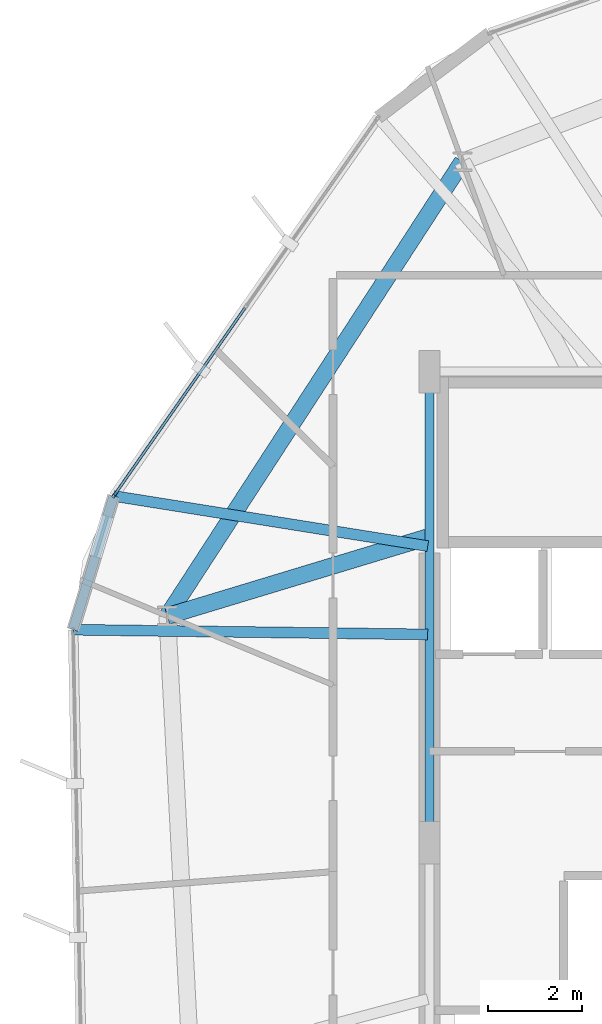
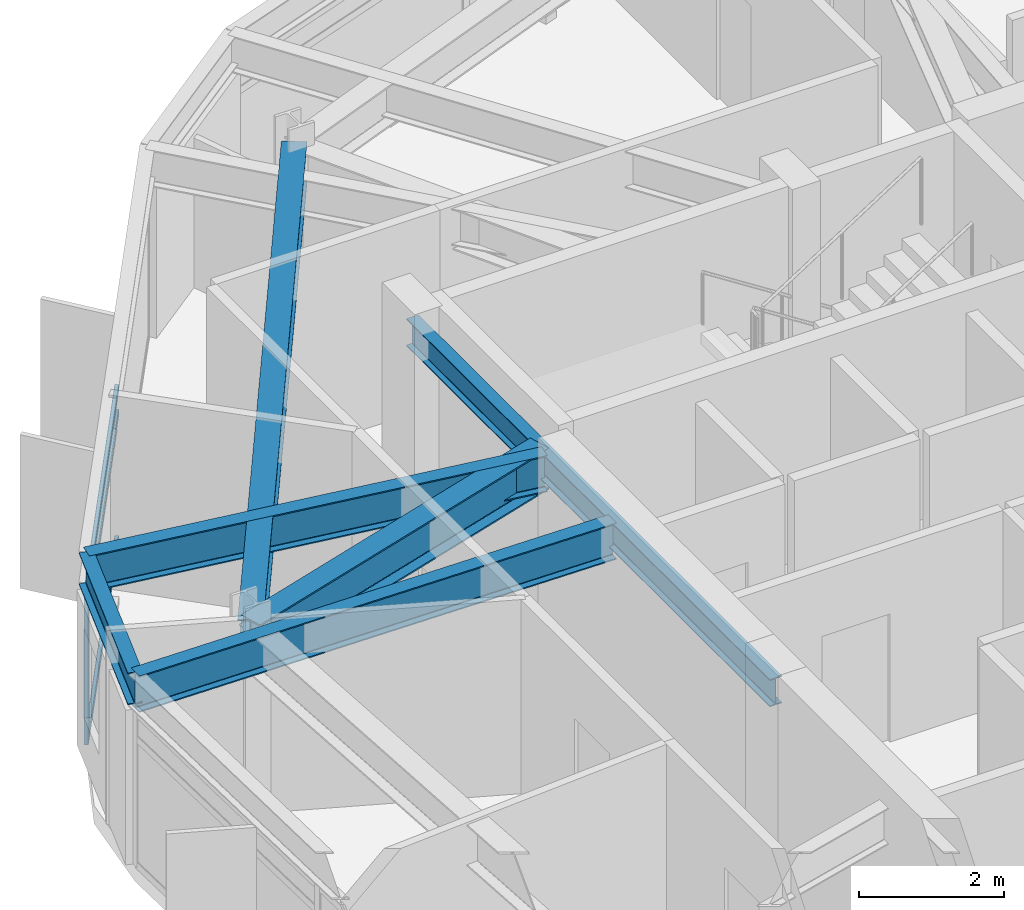
# One storey, part 12 of 34: 6 beams, 4 members, 1 element without a shape of its own.
"""IFC4 building model written with IfcOpenShell, lengths in metres."""

from ifc_helpers import new_model, si_unit, direction, frame, origin, origin_2d, place, context, subcontext, project, spatial, hollow_rectangle, i_section, extrude, material, layer, layer_set, material_profile, profile_set, type_object, element, aggregate, save


model = new_model("IFC4")

# Units and contexts
model_context = context("Model", 3, precision=1e-05, world=origin(), true_north=direction((0.0, 1.0)))
body_context = subcontext(model_context, "Body", "Model", "MODEL_VIEW")
ifc_project = project(units=[si_unit("LENGTHUNIT", "METRE"), si_unit("AREAUNIT", "SQUARE_METRE"), si_unit("VOLUMEUNIT", "CUBIC_METRE"), si_unit("PLANEANGLEUNIT", "RADIAN"), si_unit("MASSUNIT", "GRAM", prefix="KILO")], contexts=[model_context])

# Site, building, storey
site_placement = place(None, origin())
site = spatial("IfcSite", under=ifc_project, at=site_placement, CompositionType="ELEMENT")
building_placement = place(site_placement, origin())
building = spatial("IfcBuilding", under=site, at=building_placement, Name="Soratama Intermodal Tower", CompositionType="ELEMENT")
storey_placement = place(building_placement, frame((0.0, 0.0, 233.800048828125)))
storey = spatial("IfcBuildingStorey", under=building, at=storey_placement, Name="L59", CompositionType="ELEMENT", Elevation=233.800048828125)

# Beams
ifc_material_1 = material(Name="Structural steel ASTM A992 Grade 50", Category="steel")
ifc_material_profile_1 = material_profile(ifc_material_1, i_section(OverallWidth=0.19091796875, OverallDepth=0.4599609375, WebThickness=0.010009765625, FlangeThickness=0.01611328125, FilletRadius=0.010986328125, at=origin_2d()), Name="W18X55")
ifc_profile_set_1 = profile_set([ifc_material_profile_1], Name="Structural steel ASTM A992 Grade 50")
beam_type_1 = type_object("IfcBeamType", Name="BM-FLR-W18X55", PredefinedType="BEAM", material=ifc_profile_set_1)
beam_1_placement = place(storey_placement, frame((32.60009765625, 35.0, 2.989990234375), z_axis=(0.0, -1.0, 0.0), x_axis=(1.0, 0.0, 0.0)))
element("IfcBeam", 1, at=beam_1_placement, inside=storey, type_object=beam_type_1, Name="BM-L59-CRING-08", PredefinedType="BEAM", context=body_context, shape_type="SweptSolid", body=[
    extrude(i_section(OverallWidth=0.19091796875, OverallDepth=0.4599609375, WebThickness=0.010009765625, FlangeThickness=0.01611328125, FilletRadius=0.010986328125, at=origin_2d()), origin(), (0.0, 0.0, 1.0), 10.0),
])
ifc_material_2 = material(Name="Structural steel ASTM A992 Grade 50", Category="steel")
ifc_material_profile_2 = material_profile(ifc_material_2, i_section(OverallWidth=0.35498046875, OverallDepth=0.695068359375, WebThickness=0.015380859375, FlangeThickness=0.02490234375, FilletRadius=0.01611328125, at=origin_2d()), Name="W27X146")
ifc_profile_set_2 = profile_set([ifc_material_profile_2], Name="Structural steel ASTM A992 Grade 50")
beam_type_2 = type_object("IfcBeamType", Name="BM-RING-W27X146", PredefinedType="BEAM", material=ifc_profile_set_2)
beam_2_placement = place(storey_placement, frame((33.294921875, 39.455078125, 2.87255859375), z_axis=(-0.544637453764, -0.83867159482, 0.0), x_axis=(0.83867159482, -0.544637453764, 0.0)))
element("IfcBeam", 2, at=beam_2_placement, inside=storey, type_object=beam_type_2, Name="BM-L59-RING-04", PredefinedType="BEAM", context=body_context, shape_type="SweptSolid", body=[
    extrude(i_section(OverallWidth=0.35498046875, OverallDepth=0.695068359375, WebThickness=0.015380859375, FlangeThickness=0.02490234375, FilletRadius=0.01611328125, at=origin_2d()), origin(), (0.0, 0.0, 1.0), 11.49560546875),
])
beam_3_placement = place(storey_placement, frame((32.60009765625, 31.5, 2.87255859375), z_axis=(-0.957056879321, -0.289900206526, 0.0), x_axis=(0.289900206526, -0.957056879321, 0.0)))
element("IfcBeam", 3, at=beam_3_placement, inside=storey, type_object=beam_type_2, Name="BM-L59-RAD-05", PredefinedType="BEAM", context=body_context, shape_type="SweptSolid", body=[
    extrude(i_section(OverallWidth=0.35498046875, OverallDepth=0.695068359375, WebThickness=0.015380859375, FlangeThickness=0.02490234375, FilletRadius=0.01611328125, at=origin_2d()), origin(), (0.0, 0.0, 1.0), 5.81591796875),
])
ifc_material_3 = material(Name="Structural steel ASTM A992 Grade 50", Category="steel")
ifc_material_profile_3 = material_profile(ifc_material_3, i_section(OverallWidth=0.2099609375, OverallDepth=0.537109375, WebThickness=0.010986328125, FlangeThickness=0.017333984375, FilletRadius=0.012939453125, at=origin_2d()), Name="W21X68")
ifc_profile_set_3 = profile_set([ifc_material_profile_3], Name="Structural steel ASTM A992 Grade 50")
beam_type_3 = type_object("IfcBeamType", Name="BM-SPN-W21X68", PredefinedType="SPANDREL", material=ifc_profile_set_3)
beam_4_placement = place(storey_placement, frame((25.89794921875, 32.361083984375, 2.951416015625), z_axis=(-0.291233656612, -0.956651951995, 0.0), x_axis=(0.956651951995, -0.291233656612, 0.0)))
element("IfcBeam", 4, at=beam_4_placement, inside=storey, type_object=beam_type_3, Name="BS-L59-CRN03", PredefinedType="SPANDREL", context=body_context, shape_type="SweptSolid", body=[
    extrude(i_section(OverallWidth=0.2099609375, OverallDepth=0.537109375, WebThickness=0.010986328125, FlangeThickness=0.017333984375, FilletRadius=0.012939453125, at=origin_2d()), origin(), (0.0, 0.0, 1.0), 2.966796875),
])
ifc_material_4 = material(Name="Structural steel ASTM A992 Grade 50", Category="steel")
ifc_material_profile_4 = material_profile(ifc_material_4, i_section(OverallWidth=0.22900390625, OverallDepth=0.612060546875, WebThickness=0.011962890625, FlangeThickness=0.01953125, FilletRadius=0.012939453125, at=origin_2d()), Name="W24X84")
ifc_profile_set_4 = profile_set([ifc_material_profile_4], Name="Structural steel ASTM A992 Grade 50")
beam_type_4 = type_object("IfcBeamType", Name="BM-TIE-W24X84", PredefinedType="BEAM", material=ifc_profile_set_4)
beam_5_placement = place(storey_placement, frame((32.56103515625, 31.297119140625, 2.9140625), z_axis=(-0.987489805594, 0.157682858449, 0.0), x_axis=(-0.157682858449, -0.987489805594, 0.0)))
element("IfcBeam", 5, at=beam_5_placement, inside=storey, type_object=beam_type_4, Name="BM-L59-TIE1-03", PredefinedType="BEAM", context=body_context, shape_type="SweptSolid", body=[
    extrude(i_section(OverallWidth=0.22900390625, OverallDepth=0.612060546875, WebThickness=0.011962890625, FlangeThickness=0.01953125, FilletRadius=0.012939453125, at=origin_2d()), origin(), (0.0, 0.0, 1.0), 6.74755859375),
])
beam_6_placement = place(storey_placement, frame((32.56005859375, 29.423095703125, 2.9140625), z_axis=(-0.999911997145, 0.013266422514, 0.0), x_axis=(-0.013266422514, -0.999911997145, 0.0)))
element("IfcBeam", 6, at=beam_6_placement, inside=storey, type_object=beam_type_4, Name="BM-L59-TIE0-04", PredefinedType="BEAM", context=body_context, shape_type="SweptSolid", body=[
    extrude(i_section(OverallWidth=0.22900390625, OverallDepth=0.612060546875, WebThickness=0.011962890625, FlangeThickness=0.01953125, FilletRadius=0.012939453125, at=origin_2d()), origin(), (0.0, 0.0, 1.0), 7.52685546875),
])

# Curtain wall, members
ifc_material_5 = material(Name="Double-glazed aluminium curtain wall", Category="aluminium")
ifc_layer = layer(ifc_material_5, 0.159912109375)
ifc_layer_set = layer_set([ifc_layer], Name="Double-glazed aluminium curtain wall")
curtain_wall_type = type_object("IfcCurtainWallType", Name="CW-SYS-5", PredefinedType="NOTDEFINED", material=ifc_layer_set)
curtain_wall_placement = place(storey_placement, origin())
curtain_wall = element("IfcCurtainWall", 7, at=curtain_wall_placement, inside=storey, type_object=curtain_wall_type, Name="L59 Faceted Curtain Wall F03", PredefinedType="NOTDEFINED")
ifc_material_6 = material(Name="Anodised aluminium AA 6063-T6", Category="aluminium")
ifc_material_profile_5 = material_profile(ifc_material_6, hollow_rectangle(XDim=0.06494140625, YDim=0.139892578125, WallThickness=0.0048828125, InnerFilletRadius=0.0048828125, OuterFilletRadius=0.010009765625, at=origin_2d()), Name="CWM140X65X5")
ifc_profile_set_5 = profile_set([ifc_material_profile_5], Name="Anodised aluminium AA 6063-T6")
member_type_1 = type_object("IfcMemberType", Name="MT-CWM-5", PredefinedType="MULLION", material=ifc_profile_set_5)
member_1_placement = place(storey_placement, frame((25.914794921875, 32.385986328125, 0.0), z_axis=(0.0, 0.0, 1.0), x_axis=(0.819951485288, -0.572433019465, 0.0)))
member_1 = element("IfcMember", 8, at=member_1_placement, type_object=member_type_1, Name="CW-5 mullion 3", PredefinedType="MULLION", context=body_context, shape_type="SweptSolid", body=[
    extrude(hollow_rectangle(XDim=0.06494140625, YDim=0.139892578125, WallThickness=0.0048828125, InnerFilletRadius=0.0048828125, OuterFilletRadius=0.010009765625, at=origin_2d()), origin(), (0.0, 0.0, 1.0), 2.598876953125),
])
ifc_material_7 = material(Name="Anodised aluminium AA 6063-T6", Category="aluminium")
ifc_material_profile_6 = material_profile(ifc_material_7, hollow_rectangle(XDim=0.06005859375, YDim=0.1298828125, WallThickness=0.0048828125, InnerFilletRadius=0.0048828125, OuterFilletRadius=0.010009765625, at=origin_2d()), Name="CWT130X60X5")
ifc_profile_set_6 = profile_set([ifc_material_profile_6], Name="Anodised aluminium AA 6063-T6")
member_type_2 = type_object("IfcMemberType", Name="TT-CWT-2", PredefinedType="USERDEFINED", material=ifc_profile_set_6)
member_2_placement = place(storey_placement, frame((28.6845703125, 36.353759765625, 0.030029296875), z_axis=(-0.572415839523, -0.819963478859, 0.0), x_axis=(0.819963478859, -0.572415839523, 0.0)))
member_2 = element("IfcMember", 9, at=member_2_placement, type_object=member_type_2, Name="CW-5 transom 2.1", ObjectType="TRANSOM", PredefinedType="USERDEFINED", context=body_context, shape_type="SweptSolid", body=[
    extrude(hollow_rectangle(XDim=0.06005859375, YDim=0.1298828125, WallThickness=0.0048828125, InnerFilletRadius=0.0048828125, OuterFilletRadius=0.010009765625, at=origin_2d()), origin(), (0.0, 0.0, 1.0), 4.808837890625),
])
member_3_placement = place(storey_placement, frame((28.6845703125, 36.353759765625, 2.14990234375), z_axis=(-0.572415839523, -0.819963478859, 0.0), x_axis=(0.819963478859, -0.572415839523, 0.0)))
member_3 = element("IfcMember", 10, at=member_3_placement, type_object=member_type_2, Name="CW-5 transom 2.2", ObjectType="TRANSOM", PredefinedType="USERDEFINED", context=body_context, shape_type="SweptSolid", body=[
    extrude(hollow_rectangle(XDim=0.06005859375, YDim=0.1298828125, WallThickness=0.0048828125, InnerFilletRadius=0.0048828125, OuterFilletRadius=0.010009765625, at=origin_2d()), origin(), (0.0, 0.0, 1.0), 4.808837890625),
])
member_4_placement = place(storey_placement, frame((28.6845703125, 36.353759765625, 2.56884765625), z_axis=(-0.572415839523, -0.819963478859, 0.0), x_axis=(0.819963478859, -0.572415839523, 0.0)))
member_4 = element("IfcMember", 11, at=member_4_placement, type_object=member_type_2, Name="CW-5 transom 2.3", ObjectType="TRANSOM", PredefinedType="USERDEFINED", context=body_context, shape_type="SweptSolid", body=[
    extrude(hollow_rectangle(XDim=0.06005859375, YDim=0.1298828125, WallThickness=0.0048828125, InnerFilletRadius=0.0048828125, OuterFilletRadius=0.010009765625, at=origin_2d()), origin(), (0.0, 0.0, 1.0), 4.808837890625),
])
aggregate(curtain_wall, [member_1, member_2, member_3, member_4])

save(model, "model.ifc")
